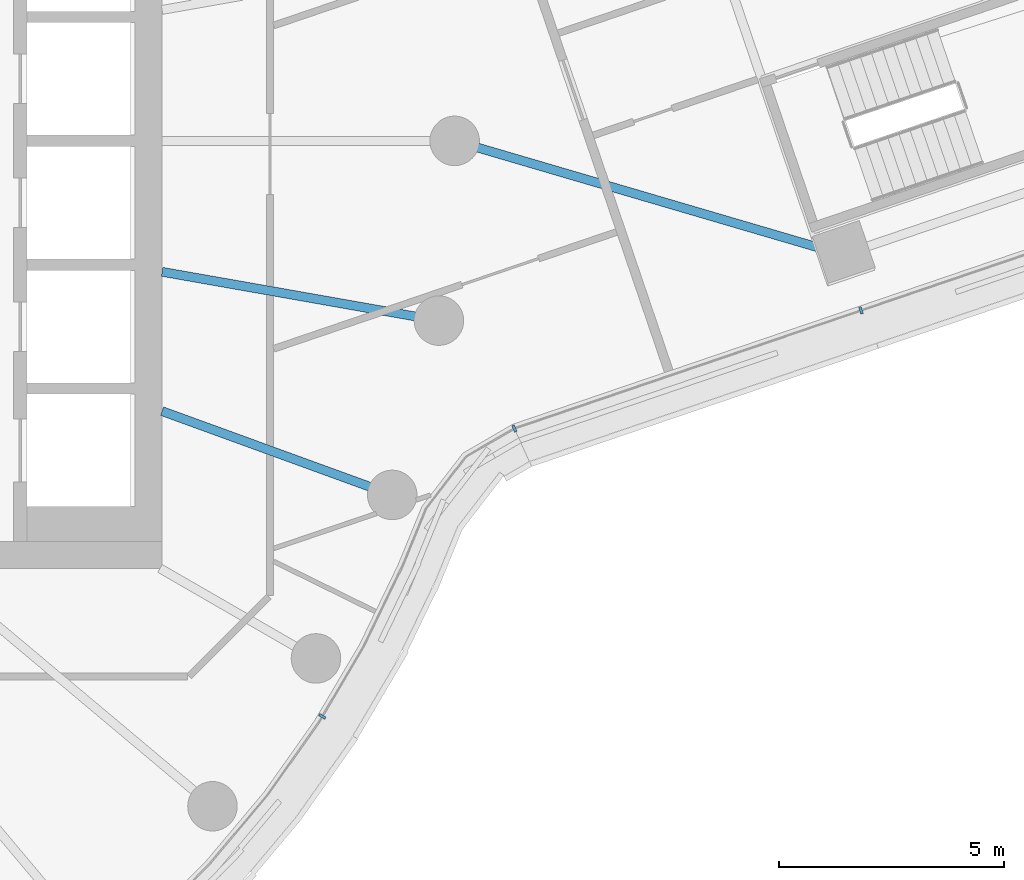
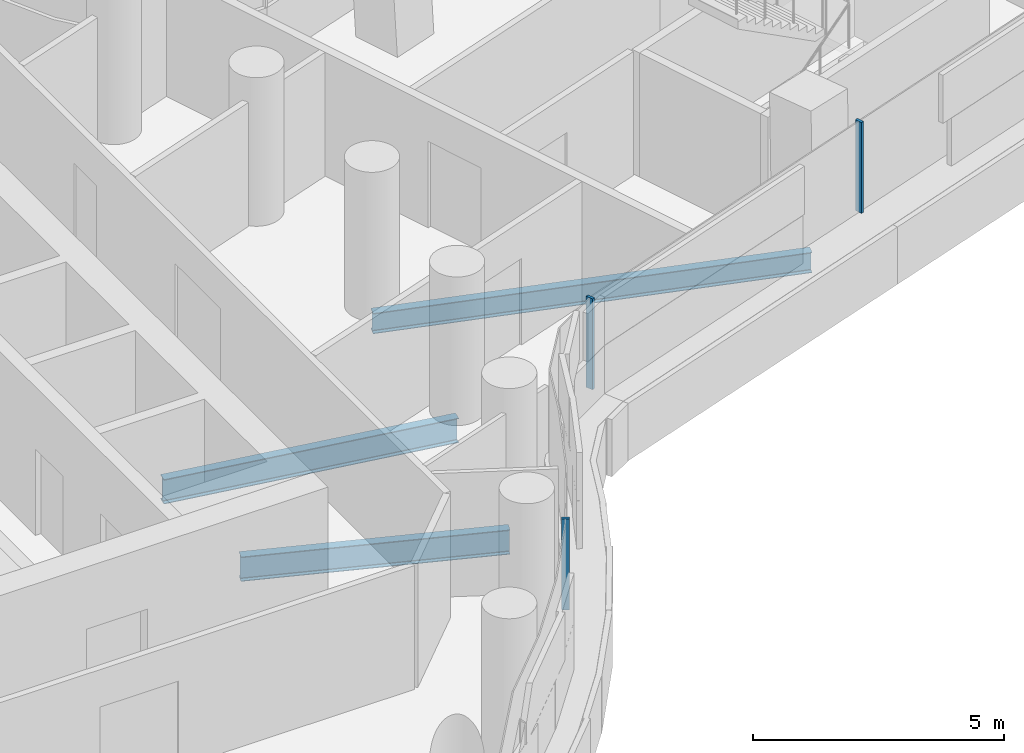
# One storey, part 9 of 29: 3 beams, 3 members, 2 elements without a shape of their own.
"""IFC4 building model written with IfcOpenShell, lengths in metres."""

from ifc_helpers import new_model, si_unit, direction, frame, origin, origin_2d, place, context, subcontext, project, spatial, rectangle, i_section, extrude, material, layer, layer_set, material_profile, profile_set, type_object, element, aggregate, save


model = new_model("IFC4")

# Units and contexts
model_context = context("Model", 3, precision=1e-05, world=origin(), true_north=direction((0.0, 1.0)))
body_context = subcontext(model_context, "Body", "Model", "MODEL_VIEW")
ifc_project = project(units=[si_unit("LENGTHUNIT", "METRE"), si_unit("AREAUNIT", "SQUARE_METRE"), si_unit("VOLUMEUNIT", "CUBIC_METRE"), si_unit("PLANEANGLEUNIT", "RADIAN"), si_unit("MASSUNIT", "GRAM", prefix="KILO")], contexts=[model_context])

# Site, building, storey
site_placement = place(None, origin())
site = spatial("IfcSite", under=ifc_project, at=site_placement, CompositionType="ELEMENT")
building_placement = place(site_placement, origin())
building = spatial("IfcBuilding", under=site, at=building_placement, Name="Tamarind Cross Interchange Tower", CompositionType="ELEMENT")
storey_placement = place(building_placement, frame((0.0, 0.0, 102.25)))
storey = spatial("IfcBuildingStorey", under=building, at=storey_placement, Name="L24", CompositionType="ELEMENT", Elevation=102.25)

# Beams
ifc_material_1 = material(Name="Steel Q355B", Category="steel")
ifc_material_profile_1 = material_profile(ifc_material_1, i_section(OverallWidth=0.198974609375, OverallDepth=0.49609375, WebThickness=0.009033203125, FlangeThickness=0.013916015625, FilletRadius=0.012939453125, at=origin_2d()), Name="HN 496x199x9x14")
ifc_profile_set_1 = profile_set([ifc_material_profile_1], Name="Steel Q355B")
beam_type_1 = type_object("IfcBeamType", Name="Composite beam HN 496x199x9x14 Q355B", PredefinedType="BEAM", material=ifc_profile_set_1)
beam_1_placement = place(storey_placement, frame((31.6298828125, -2.53076171875, -0.387939453125), z_axis=(-0.959589118303, 0.281404911178, 0.0), x_axis=(-0.281404911178, -0.959589118303, 0.0)))
element("IfcBeam", 1, at=beam_1_placement, inside=storey, type_object=beam_type_1, Name="Beam E-linkem", PredefinedType="BEAM", context=body_context, shape_type="SweptSolid", body=[
    extrude(i_section(OverallWidth=0.198974609375, OverallDepth=0.49609375, WebThickness=0.009033203125, FlangeThickness=0.013916015625, FilletRadius=0.012939453125, at=origin_2d()), origin(), (0.0, 0.0, 1.0), 8.993408203125),
])
ifc_material_profile_2 = material_profile(ifc_material_1, i_section(OverallWidth=0.198974609375, OverallDepth=0.595947265625, WebThickness=0.010009765625, FlangeThickness=0.014892578125, FilletRadius=0.012939453125, at=origin_2d()), Name="HN 596x199x10x15")
ifc_profile_set_2 = profile_set([ifc_material_profile_2], Name="Steel Q355B")
beam_type_2 = type_object("IfcBeamType", Name="Composite beam HN 596x199x10x15 Q355B", PredefinedType="BEAM", material=ifc_profile_set_2)
beam_2_placement = place(storey_placement, frame((21.613037109375, -7.866455078125, -0.43798828125), z_axis=(-0.939701685589, 0.341995236956, 0.0), x_axis=(-0.341995236956, -0.939701685589, 0.0)))
element("IfcBeam", 2, at=beam_2_placement, inside=storey, type_object=beam_type_2, Name="Beam HH34", PredefinedType="BEAM", context=body_context, shape_type="SweptSolid", body=[
    extrude(i_section(OverallWidth=0.198974609375, OverallDepth=0.595947265625, WebThickness=0.010009765625, FlangeThickness=0.014892578125, FilletRadius=0.012939453125, at=origin_2d()), origin(), (0.0, 0.0, 1.0), 5.441162109375),
])
beam_3_placement = place(storey_placement, frame((22.650634765625, -3.993896484375, -0.43798828125), z_axis=(-0.984809127561, 0.173640382036, 0.0), x_axis=(-0.173640382036, -0.984809127561, 0.0)))
element("IfcBeam", 3, at=beam_3_placement, inside=storey, type_object=beam_type_2, Name="Beam HH35", PredefinedType="BEAM", context=body_context, shape_type="SweptSolid", body=[
    extrude(i_section(OverallWidth=0.198974609375, OverallDepth=0.595947265625, WebThickness=0.010009765625, FlangeThickness=0.014892578125, FilletRadius=0.012939453125, at=origin_2d()), origin(), (0.0, 0.0, 1.0), 6.24560546875),
])

# Curtain wall, member
ifc_material_2 = material(Name="Aluminium 6063-T6", Category="aluminium")
ifc_layer = layer(ifc_material_2, 0.159912109375)
ifc_layer_set = layer_set([ifc_layer], Name="Aluminium 6063-T6")
curtain_wall_type = type_object("IfcCurtainWallType", Name="Office curtain wall, 9.0 m bays", PredefinedType="NOTDEFINED", material=ifc_layer_set)
curtain_wall_1_placement = place(storey_placement, origin())
curtain_wall_1 = element("IfcCurtainWall", 4, at=curtain_wall_1_placement, inside=storey, type_object=curtain_wall_type, Name="CWS-L24-06", PredefinedType="NOTDEFINED")
ifc_material_profile_3 = material_profile(ifc_material_2, rectangle(XDim=0.06005859375, YDim=0.159912109375, at=origin_2d()), Name="Mullion CW1")
ifc_profile_set_3 = profile_set([ifc_material_profile_3], Name="Aluminium 6063-T6")
member_type = type_object("IfcMemberType", Name="Mullion CW1", PredefinedType="MULLION", material=ifc_profile_set_3)
member_1_placement = place(storey_placement, frame((20.060302734375, -12.787841796875, 1.39990234375), z_axis=(0.0, 0.0, 1.0), x_axis=(0.508183308752, 0.861248933065, 0.0)))
member_1 = element("IfcMember", 5, at=member_1_placement, type_object=member_type, Name="CWM-L24-06-02", PredefinedType="MULLION", context=body_context, shape_type="SweptSolid", body=[
    extrude(rectangle(XDim=0.06005859375, YDim=0.159912109375, at=origin_2d()), origin(), (0.0, 0.0, 1.0), 2.210205078125),
])
aggregate(curtain_wall_1, [member_1])

# Curtain wall, members
curtain_wall_2_placement = place(storey_placement, origin())
curtain_wall_2 = element("IfcCurtainWall", 6, at=curtain_wall_2_placement, inside=storey, type_object=curtain_wall_type, Name="CWS-L24-07", PredefinedType="NOTDEFINED")
member_2_placement = place(storey_placement, frame((24.326416015625, -6.391357421875, 1.39990234375), z_axis=(0.0, 0.0, 1.0), x_axis=(0.910164954398, 0.414246008774, 0.0)))
member_2 = element("IfcMember", 7, at=member_2_placement, type_object=member_type, Name="CWM-L24-07-00", PredefinedType="MULLION", context=body_context, shape_type="SweptSolid", body=[
    extrude(rectangle(XDim=0.06005859375, YDim=0.159912109375, at=origin_2d()), origin(), (0.0, 0.0, 1.0), 2.210205078125),
])
member_3_placement = place(storey_placement, frame((32.0283203125, -3.768310546875, 1.39990234375), z_axis=(0.0, 0.0, 1.0), x_axis=(0.946613256786, 0.322371434957, 0.0)))
member_3 = element("IfcMember", 8, at=member_3_placement, type_object=member_type, Name="CWM-L24-07-01", PredefinedType="MULLION", context=body_context, shape_type="SweptSolid", body=[
    extrude(rectangle(XDim=0.06005859375, YDim=0.159912109375, at=origin_2d()), origin(), (0.0, 0.0, 1.0), 2.210205078125),
])
aggregate(curtain_wall_2, [member_2, member_3])

save(model, "model.ifc")
